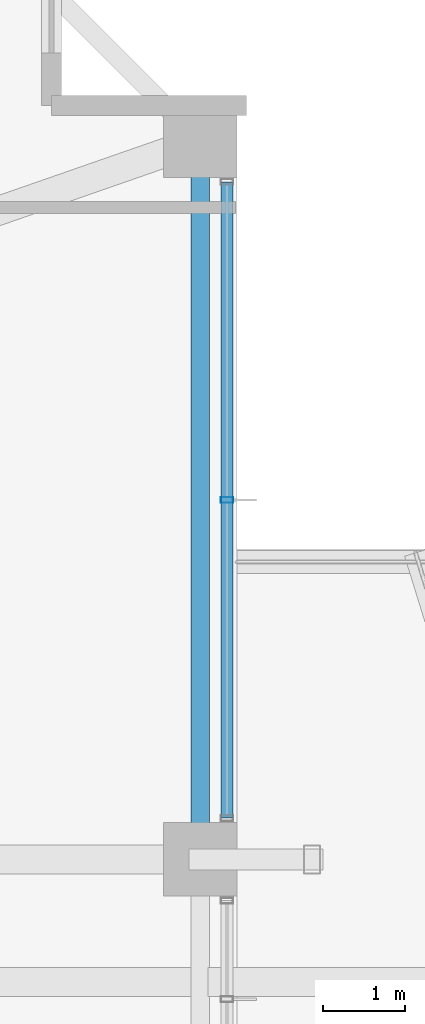
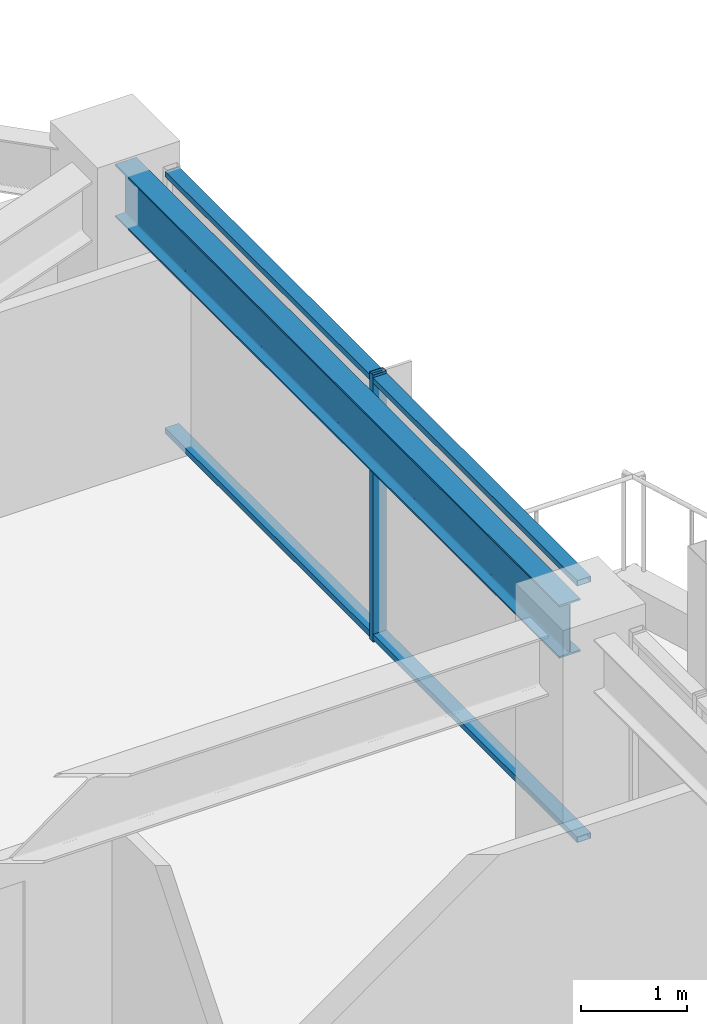
# One storey, part 16 of 35: 3 members, 1 beam, 1 element without a shape of its own.
"""IFC4 building model written with IfcOpenShell, lengths in metres."""

from ifc_helpers import new_model, si_unit, direction, frame, origin, origin_2d, place, context, subcontext, project, spatial, hollow_rectangle, i_section, extrude, material, material_profile, profile_set, type_object, element, aggregate, save


model = new_model("IFC4")

# Units and contexts
model_context = context("Model", 3, precision=1e-05, world=origin(), true_north=direction((0.0, 1.0)))
body_context = subcontext(model_context, "Body", "Model", "MODEL_VIEW")
ifc_project = project(units=[si_unit("LENGTHUNIT", "METRE"), si_unit("AREAUNIT", "SQUARE_METRE"), si_unit("VOLUMEUNIT", "CUBIC_METRE"), si_unit("PLANEANGLEUNIT", "RADIAN"), si_unit("MASSUNIT", "GRAM", prefix="KILO")], contexts=[model_context])

# Site, building, storey
site_placement = place(None, origin())
site = spatial("IfcSite", under=ifc_project, at=site_placement, CompositionType="ELEMENT")
building_placement = place(site_placement, origin())
building = spatial("IfcBuilding", under=site, at=building_placement, Name="Kolvaren Belvedere", CompositionType="ELEMENT")
storey_placement = place(building_placement, frame((0.0, 0.0, 176.699951171875)))
storey = spatial("IfcBuildingStorey", under=building, at=storey_placement, Name="L51", CompositionType="ELEMENT", Elevation=176.699951171875)

# Beam
ifc_material_1 = material(Name="Structural steel ASTM A992 Grade 50", Category="steel")
ifc_material_profile_1 = material_profile(ifc_material_1, i_section(OverallWidth=0.22900390625, OverallDepth=0.612060546875, WebThickness=0.011962890625, FlangeThickness=0.01953125, FilletRadius=0.01806640625, at=origin_2d()), Name="W24X84")
ifc_profile_set_1 = profile_set([ifc_material_profile_1], Name="Structural steel ASTM A992 Grade 50")
beam_type = type_object("IfcBeamType", Name="BM-SPAN-W24X84", PredefinedType="SPANDREL", material=ifc_profile_set_1)
beam_placement = place(storey_placement, frame((19.949951171875, 4.802490234375, 2.774169921875), z_axis=(0.0, 1.0, 0.0), x_axis=(-1.0, 0.0, 0.0)))
element("IfcBeam", 1, at=beam_placement, inside=storey, type_object=beam_type, Name="L51 Perimeter Spandrel E3-E4", PredefinedType="SPANDREL", context=body_context, shape_type="SweptSolid", body=[
    extrude(i_section(OverallWidth=0.22900390625, OverallDepth=0.612060546875, WebThickness=0.011962890625, FlangeThickness=0.01953125, FilletRadius=0.01806640625, at=origin_2d()), origin(), (0.0, 0.0, 1.0), 8.39501953125),
])

# Curtain wall, members
ifc_material_2 = material(Name="Anodised pale-metal aluminium AA 6063-T6", Category="aluminium")
curtain_wall_type = type_object("IfcCurtainWallType", Name="CW-Z5-HIGH", PredefinedType="NOTDEFINED", material=ifc_material_2)
curtain_wall_placement = place(storey_placement, origin())
curtain_wall = element("IfcCurtainWall", 2, at=curtain_wall_placement, inside=storey, type_object=curtain_wall_type, Name="L51 Unitised Curtain Wall FCW-L51-E1-B1", PredefinedType="NOTDEFINED")
ifc_material_3 = material(Name="Anodised pale-metal aluminium AA 6063-T6", Category="aluminium")
ifc_material_profile_2 = material_profile(ifc_material_3, hollow_rectangle(XDim=0.070068359375, YDim=0.14990234375, WallThickness=0.004150390625, at=origin_2d()), Name="ALU-MUL-150X70")
ifc_profile_set_2 = profile_set([ifc_material_profile_2], Name="Anodised pale-metal aluminium AA 6063-T6")
member_type_1 = type_object("IfcMemberType", Name="CW-MUL-150", PredefinedType="MULLION", material=ifc_profile_set_2)
member_1_placement = place(storey_placement, frame((20.280029296875, 9.0, 0.0), z_axis=(0.0, 0.0, 1.0), x_axis=(0.0, 1.0, 0.0)))
member_1 = element("IfcMember", 3, at=member_1_placement, type_object=member_type_1, Name="FCW-L51-E1-B1 Unitised Mullion 2", PredefinedType="MULLION", context=body_context, shape_type="SweptSolid", body=[
    extrude(hollow_rectangle(XDim=0.070068359375, YDim=0.14990234375, WallThickness=0.004150390625, at=origin_2d()), origin(), (0.0, 0.0, 1.0), 3.080078125),
])
ifc_material_4 = material(Name="Anodised pale-metal aluminium AA 6063-T6", Category="aluminium")
ifc_material_profile_3 = material_profile(ifc_material_4, hollow_rectangle(XDim=0.06494140625, YDim=0.14990234375, WallThickness=0.00390625, at=origin_2d()), Name="ALU-TRN-150X65")
ifc_profile_set_3 = profile_set([ifc_material_profile_3], Name="Anodised pale-metal aluminium AA 6063-T6")
member_type_2 = type_object("IfcMemberType", Name="CW-TRN-150", PredefinedType="USERDEFINED", material=ifc_profile_set_3)
member_2_placement = place(storey_placement, frame((20.280029296875, 12.89501953125, 0.06005859375), z_axis=(0.0, -1.0, 0.0), x_axis=(0.0, 0.0, 1.0)))
member_2 = element("IfcMember", 4, at=member_2_placement, type_object=member_type_2, Name="FCW-L51-E1-B1 Sill Transom", ObjectType="TRANSOM", PredefinedType="USERDEFINED", context=body_context, shape_type="SweptSolid", body=[
    extrude(hollow_rectangle(XDim=0.06494140625, YDim=0.14990234375, WallThickness=0.00390625, at=origin_2d()), origin(), (0.0, 0.0, 1.0), 7.7900390625),
])
member_3_placement = place(storey_placement, frame((20.280029296875, 12.89501953125, 3.02001953125), z_axis=(0.0, -1.0, 0.0), x_axis=(0.0, 0.0, 1.0)))
member_3 = element("IfcMember", 5, at=member_3_placement, type_object=member_type_2, Name="FCW-L51-E1-B1 Head Transom", ObjectType="TRANSOM", PredefinedType="USERDEFINED", context=body_context, shape_type="SweptSolid", body=[
    extrude(hollow_rectangle(XDim=0.06494140625, YDim=0.14990234375, WallThickness=0.00390625, at=origin_2d()), origin(), (0.0, 0.0, 1.0), 7.7900390625),
])
aggregate(curtain_wall, [member_1, member_2, member_3])

save(model, "model.ifc")
